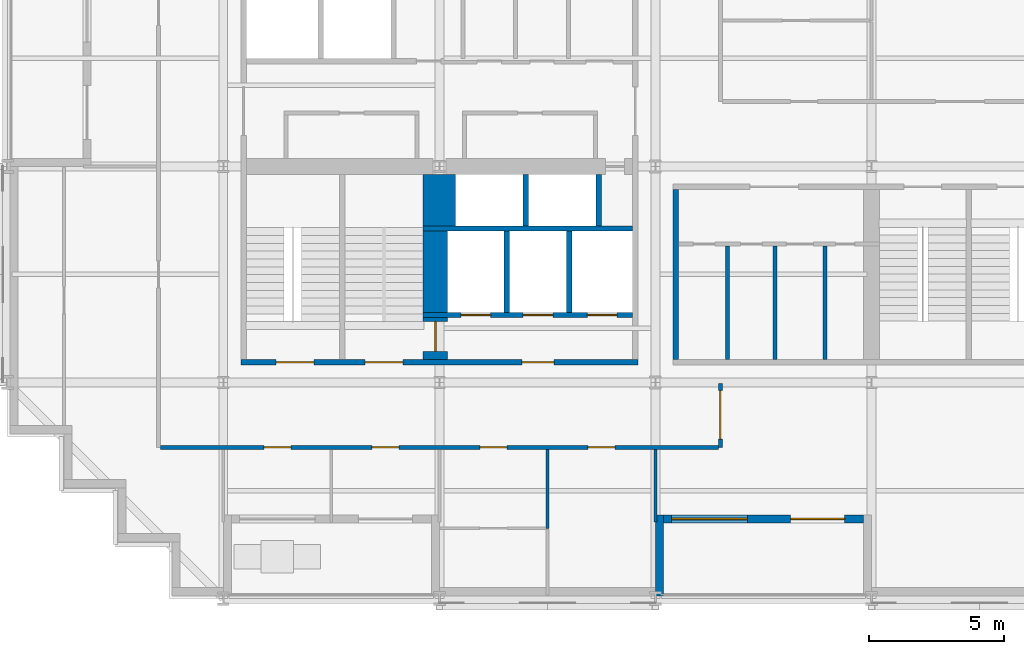
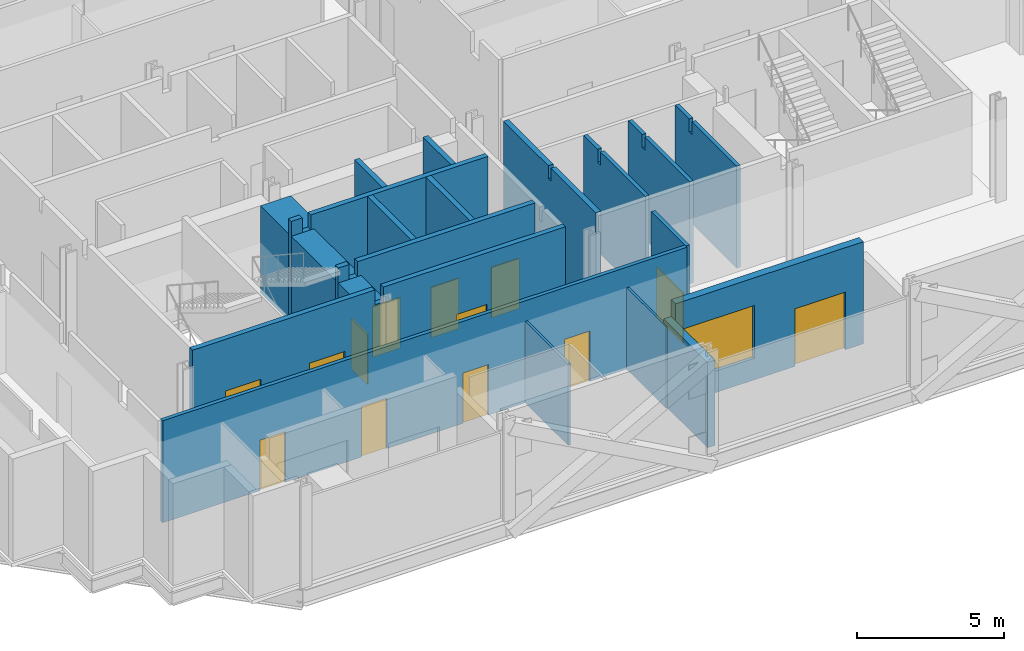
# One storey, part 5 of 14: 20 walls, 13 doors, 1 window, 14 openings.
"""IFC4 building model written with IfcOpenShell, lengths in metres."""

from ifc_helpers import new_model, si_unit, direction, frame, frame_2d, origin, place, context, subcontext, project, spatial, polyline, rectangle, outline, extrude, material, layer, layer_set, type_object, element, fill, save


model = new_model("IFC4")

# Units and contexts
model_context = context("Model", 3, precision=1e-05, world=origin(), true_north=direction((0.0, 1.0)))
body_context = subcontext(model_context, "Body", "Model", "MODEL_VIEW")
ifc_project = project(units=[si_unit("LENGTHUNIT", "METRE"), si_unit("AREAUNIT", "SQUARE_METRE"), si_unit("VOLUMEUNIT", "CUBIC_METRE"), si_unit("PLANEANGLEUNIT", "RADIAN"), si_unit("MASSUNIT", "GRAM", prefix="KILO")], contexts=[model_context])

# Site, building, storey
site_placement = place(None, origin())
site = spatial("IfcSite", under=ifc_project, at=site_placement, CompositionType="ELEMENT")
building_placement = place(site_placement, origin())
building = spatial("IfcBuilding", under=site, at=building_placement, Name="Immortelle Media Tower", CompositionType="ELEMENT")
storey_placement = place(building_placement, frame((0.0, 0.0, 43.60009765625)))
storey = spatial("IfcBuildingStorey", under=building, at=storey_placement, Name="L06", CompositionType="ELEMENT", Elevation=43.60009765625)

# Walls
ifc_material_1 = material(Name="Fire-rated gypsum board", Category="gypsum")
ifc_layer_1 = layer(ifc_material_1, 0.02490234375)
ifc_material_2 = material(Name="Steel ASTM A653 SS Gr 50 stud frame with mineral wool", Category="steel")
ifc_layer_2 = layer(ifc_material_2, 0.10009765625)
ifc_layer_3 = layer(ifc_material_1, 0.02490234375)
ifc_layer_set_1 = layer_set([ifc_layer_1, ifc_layer_2, ifc_layer_3], Name="Steel ASTM A653 SS Gr 50 stud frame with mineral wool")
wall_type_1 = type_object("IfcWallType", Name="Core partition 150", PredefinedType="PARTITIONING", material=ifc_layer_set_1)
for number, where, z_axis, x_axis, name in (
    (1, (26.675048828125, 8.85009765625, 0.0), (0.0, 0.0, 1.0), (0.0, 1.0, 0.0), "Core partition SE"),
    (2, (28.425048828125, 8.85009765625, 0.0), (0.0, 0.0, 1.0), (0.0, 1.0, 0.0), "Core partition SE"),
    (3, (30.27490234375, 8.85009765625, 0.0), (0.0, 0.0, 1.0), (0.0, 1.0, 0.0), "Core partition SE"),
):
    element("IfcWall", number, at=place(storey_placement, frame(where, z_axis=z_axis, x_axis=x_axis)), inside=storey, type_object=wall_type_1, Name=name, PredefinedType="PARTITIONING", context=body_context, shape_type="SweptSolid", body=[
        extrude(outline(polyline([(0.0, 0.0), (4.199951171875, 0.0), (4.199951171875, 4.25), (3.238525390625, 4.25), (3.237548828125, 3.7080078125), (3.0625, 3.7080078125), (3.0615234375, 4.25), (0.0, 4.25), (0.0, 0.0)])), frame((0.0, 0.074951171875, 0.0), z_axis=(0.0, -1.0, 0.0), x_axis=(1.0, 0.0, 0.0)), (0.0, 0.0, 1.0), 0.14990234375),
    ])

# Wall, openings, doors
ifc_layer_4 = layer(ifc_material_1, 0.03759765625)
ifc_layer_5 = layer(ifc_material_2, 0.125)
ifc_layer_6 = layer(ifc_material_1, 0.03759765625)
ifc_layer_set_2 = layer_set([ifc_layer_4, ifc_layer_5, ifc_layer_6], Name="Steel ASTM A653 SS Gr 50 stud frame with mineral wool")
wall_type_2 = type_object("IfcWallType", Name="Core shaft wall 200", PredefinedType="PARTITIONING", material=ifc_layer_set_2)
wall_1_placement = place(storey_placement, frame((15.39990234375, 10.5, 0.0), z_axis=(0.0, 0.0, 1.0), x_axis=(1.0, 0.0, 0.0)))
wall_1 = element("IfcWall", 4, at=wall_1_placement, inside=storey, type_object=wall_type_2, Name="Core shaft wall SW", PredefinedType="PARTITIONING", context=body_context, shape_type="SweptSolid", body=[
    extrude(outline(polyline([(0.0, 0.0), (7.75, 0.0), (7.75, 4.25), (0.76708984375, 4.25), (0.76611328125, 3.6318359375), (0.43408203125, 3.6318359375), (0.43310546875, 4.25), (0.0, 4.25), (0.0, 0.0)])), frame((0.0, 0.10009765625, 0.0), z_axis=(0.0, -1.0, 0.0), x_axis=(1.0, 0.0, 0.0)), (0.0, 0.0, 1.0), 0.199951171875),
])
opening_1_placement = place(wall_1_placement, frame((1.39990234375, 0.0, 0.0)))
opening_1 = element("IfcOpeningElement", 5, at=opening_1_placement, cuts=wall_1, Name="Opening LD", PredefinedType="OPENING", context=body_context, shape_type="SweptSolid", body=[
    extrude(rectangle(XDim=1.10009765625, YDim=2.10009765625, at=frame_2d((0.550048828125, 1.050048828125))), frame((0.0, 0.10986328125, 0.0), z_axis=(0.0, -1.0, 0.0), x_axis=(1.0, 0.0, 0.0)), (0.0, 0.0, 1.0), 0.219970703125),
])
opening_2_placement = place(wall_1_placement, frame((3.699951171875, 0.0, 0.0)))
opening_2 = element("IfcOpeningElement", 6, at=opening_2_placement, cuts=wall_1, Name="Opening LD", PredefinedType="OPENING", context=body_context, shape_type="SweptSolid", body=[
    extrude(rectangle(XDim=1.10009765625, YDim=2.10009765625, at=frame_2d((0.550048828125, 1.050048828125))), frame((0.0, 0.10986328125, 0.0), z_axis=(0.0, -1.0, 0.0), x_axis=(1.0, 0.0, 0.0)), (0.0, 0.0, 1.0), 0.219970703125),
])
opening_3_placement = place(wall_1_placement, frame((6.074951171875, 0.0, 0.0)))
opening_3 = element("IfcOpeningElement", 7, at=opening_3_placement, cuts=wall_1, Name="Opening LD", PredefinedType="OPENING", context=body_context, shape_type="SweptSolid", body=[
    extrude(rectangle(XDim=1.10009765625, YDim=2.10009765625, at=frame_2d((0.550048828125, 1.050048828125))), frame((0.0, 0.10986328125, 0.0), z_axis=(0.0, -1.0, 0.0), x_axis=(1.0, 0.0, 0.0)), (0.0, 0.0, 1.0), 0.219970703125),
])
ifc_material_3 = material(Name="Stainless steel AISI 304", Category="steel")
door_type_1 = type_object("IfcDoorType", Name="Landing door 1100 x 2100", OperationType="SLIDING_TO_LEFT", PredefinedType="NOTDEFINED", material=ifc_material_3)
door_1_placement = place(opening_1_placement, origin())
door_1 = element("IfcDoor", 8, at=door_1_placement, inside=storey, type_object=door_type_1, Name="Landing door FF1 L06", OperationType="SLIDING_TO_LEFT", OverallHeight=2.10009765625, OverallWidth=1.10009765625, PredefinedType="NOTDEFINED", context=body_context, shape_type="SweptSolid", body=[
    extrude(rectangle(XDim=1.10009765625, YDim=2.10009765625, at=frame_2d((0.550048828125, 1.050048828125))), frame((0.0, 0.02490234375, 0.0), z_axis=(0.0, -1.0, 0.0), x_axis=(1.0, 0.0, 0.0)), (0.0, 0.0, 1.0), 0.050048828125),
])
fill(opening_1, door_1)
door_2_placement = place(opening_2_placement, origin())
door_2 = element("IfcDoor", 9, at=door_2_placement, inside=storey, type_object=door_type_1, Name="Landing door FF2 L06", OperationType="SLIDING_TO_LEFT", OverallHeight=2.10009765625, OverallWidth=1.10009765625, PredefinedType="NOTDEFINED", context=body_context, shape_type="SweptSolid", body=[
    extrude(rectangle(XDim=1.10009765625, YDim=2.10009765625, at=frame_2d((0.550048828125, 1.050048828125))), frame((0.0, 0.02490234375, 0.0), z_axis=(0.0, -1.0, 0.0), x_axis=(1.0, 0.0, 0.0)), (0.0, 0.0, 1.0), 0.050048828125),
])
fill(opening_2, door_2)
door_3_placement = place(opening_3_placement, origin())
door_3 = element("IfcDoor", 10, at=door_3_placement, inside=storey, type_object=door_type_1, Name="Landing door FF3 L06", OperationType="SLIDING_TO_LEFT", OverallHeight=2.10009765625, OverallWidth=1.10009765625, PredefinedType="NOTDEFINED", context=body_context, shape_type="SweptSolid", body=[
    extrude(rectangle(XDim=1.10009765625, YDim=2.10009765625, at=frame_2d((0.550048828125, 1.050048828125))), frame((0.0, 0.02490234375, 0.0), z_axis=(0.0, -1.0, 0.0), x_axis=(1.0, 0.0, 0.0)), (0.0, 0.0, 1.0), 0.050048828125),
])
fill(opening_3, door_3)

# Walls
wall_2_placement = place(storey_placement, frame((15.39990234375, 13.699951171875, 0.0), z_axis=(0.0, 0.0, 1.0), x_axis=(1.0, 0.0, 0.0)))
element("IfcWall", 11, at=wall_2_placement, inside=storey, type_object=wall_type_2, Name="Core shaft wall SW", PredefinedType="PARTITIONING", context=body_context, shape_type="SweptSolid", body=[
    extrude(outline(polyline([(0.0, 0.0), (7.75, 0.0), (7.75, 4.25), (0.76708984375, 4.25), (0.76611328125, 3.6318359375), (0.43408203125, 3.6318359375), (0.43310546875, 4.25), (0.0, 4.25), (0.0, 0.0)])), frame((0.0, 0.10009765625, 0.0), z_axis=(0.0, -1.0, 0.0), x_axis=(1.0, 0.0, 0.0)), (0.0, 0.0, 1.0), 0.199951171875),
])
wall_3_placement = place(storey_placement, frame((18.5, 10.60009765625, 0.0), z_axis=(0.0, 0.0, 1.0), x_axis=(0.0, 1.0, 0.0)))
element("IfcWall", 12, at=wall_3_placement, inside=storey, type_object=wall_type_2, Name="Core shaft wall SW", PredefinedType="PARTITIONING", context=body_context, shape_type="SweptSolid", body=[
    extrude(rectangle(XDim=3.0, YDim=0.199951171875, at=frame_2d((1.5, 0.0))), origin(), (0.0, 0.0, 1.0), 4.25),
])
wall_4_placement = place(storey_placement, frame((19.199951171875, 13.800048828125, 0.0), z_axis=(0.0, 0.0, 1.0), x_axis=(0.0, 1.0, 0.0)))
element("IfcWall", 13, at=wall_4_placement, inside=storey, type_object=wall_type_2, Name="Core shaft wall SW", PredefinedType="PARTITIONING", context=body_context, shape_type="SweptSolid", body=[
    extrude(rectangle(XDim=1.89990234375, YDim=0.199951171875, at=frame_2d((0.949951171875, 0.0))), origin(), (0.0, 0.0, 1.0), 4.25),
])
wall_5_placement = place(storey_placement, frame((20.800048828125, 10.60009765625, 0.0), z_axis=(0.0, 0.0, 1.0), x_axis=(0.0, 1.0, 0.0)))
element("IfcWall", 14, at=wall_5_placement, inside=storey, type_object=wall_type_2, Name="Core shaft wall SW", PredefinedType="PARTITIONING", context=body_context, shape_type="SweptSolid", body=[
    extrude(rectangle(XDim=3.0, YDim=0.199951171875, at=frame_2d((1.5, 0.0))), origin(), (0.0, 0.0, 1.0), 4.25),
])
wall_6_placement = place(storey_placement, frame((21.89990234375, 13.800048828125, 0.0), z_axis=(0.0, 0.0, 1.0), x_axis=(0.0, 1.0, 0.0)))
element("IfcWall", 15, at=wall_6_placement, inside=storey, type_object=wall_type_2, Name="Core shaft wall SW", PredefinedType="PARTITIONING", context=body_context, shape_type="SweptSolid", body=[
    extrude(rectangle(XDim=1.89990234375, YDim=0.199951171875, at=frame_2d((0.949951171875, 0.0))), origin(), (0.0, 0.0, 1.0), 4.25),
])
wall_7_placement = place(storey_placement, frame((24.75, 8.85009765625, 0.0), z_axis=(0.0, 0.0, 1.0), x_axis=(0.0, 1.0, 0.0)))
element("IfcWall", 16, at=wall_7_placement, inside=storey, type_object=wall_type_2, Name="Core shaft wall SE", PredefinedType="PARTITIONING", context=body_context, shape_type="SweptSolid", body=[
    extrude(outline(polyline([(0.0, 0.0), (6.2998046875, 0.0), (6.300048828125, 4.25), (3.238525390625, 4.25), (3.237548828125, 3.7080078125), (3.0625, 3.7080078125), (3.0615234375, 4.25), (0.0, 4.25), (0.0, 0.0)])), frame((0.0, 0.10009765625, 0.0), z_axis=(0.0, -1.0, 0.0), x_axis=(1.0, 0.0, 0.0)), (0.0, 0.0, 1.0), 0.199951171875),
])

# Wall, openings, doors
ifc_layer_7 = layer(ifc_material_1, 0.012451171875)
ifc_layer_8 = layer(ifc_material_2, 0.125)
ifc_layer_9 = layer(ifc_material_1, 0.012451171875)
ifc_layer_set_3 = layer_set([ifc_layer_7, ifc_layer_8, ifc_layer_9], Name="Steel ASTM A653 SS Gr 50 stud frame with mineral wool")
wall_type_3 = type_object("IfcWallType", Name="Corridor wall 150", PredefinedType="PARTITIONING", material=ifc_layer_set_3)
wall_8_placement = place(storey_placement, frame((5.675048828125, 5.60009765625, 0.0), z_axis=(0.0, 0.0, 1.0), x_axis=(1.0, 0.0, 0.0)))
wall_8 = element("IfcWall", 17, at=wall_8_placement, inside=storey, type_object=wall_type_3, Name="Partition L06-008", PredefinedType="PARTITIONING", context=body_context, shape_type="SweptSolid", body=[
    extrude(rectangle(XDim=20.64990234375, YDim=0.14990234375, at=frame_2d((10.324951171875, 0.0))), origin(), (0.0, 0.0, 1.0), 4.25),
])
opening_4_placement = place(wall_8_placement, frame((12.824951171875, 0.0, 0.0), z_axis=(0.0, 0.0, 1.0), x_axis=(-1.0, 0.0, 0.0)))
opening_4 = element("IfcOpeningElement", 18, at=opening_4_placement, cuts=wall_8, Name="Opening N1-F001", PredefinedType="OPENING", context=body_context, shape_type="SweptSolid", body=[
    extrude(rectangle(XDim=1.0, YDim=2.10009765625, at=frame_2d((0.5, 1.050048828125))), frame((0.0, 0.0849609375, 0.0), z_axis=(0.0, -1.0, 0.0), x_axis=(1.0, 0.0, 0.0)), (0.0, 0.0, 1.0), 0.169921875),
])
opening_5_placement = place(wall_8_placement, frame((16.824951171875, 0.0, 0.0), z_axis=(0.0, 0.0, 1.0), x_axis=(-1.0, 0.0, 0.0)))
opening_5 = element("IfcOpeningElement", 19, at=opening_5_placement, cuts=wall_8, Name="Opening N1-F003", PredefinedType="OPENING", context=body_context, shape_type="SweptSolid", body=[
    extrude(rectangle(XDim=1.0, YDim=2.10009765625, at=frame_2d((0.5, 1.050048828125))), frame((0.0, 0.0849609375, 0.0), z_axis=(0.0, -1.0, 0.0), x_axis=(1.0, 0.0, 0.0)), (0.0, 0.0, 1.0), 0.169921875),
])
opening_6_placement = place(wall_8_placement, frame((4.824951171875, 0.0, 0.0), z_axis=(0.0, 0.0, 1.0), x_axis=(-1.0, 0.0, 0.0)))
opening_6 = element("IfcOpeningElement", 20, at=opening_6_placement, cuts=wall_8, Name="Opening N1-F004", PredefinedType="OPENING", context=body_context, shape_type="SweptSolid", body=[
    extrude(rectangle(XDim=1.0, YDim=2.10009765625, at=frame_2d((0.5, 1.050048828125))), frame((0.0, 0.0849609375, 0.0), z_axis=(0.0, -1.0, 0.0), x_axis=(1.0, 0.0, 0.0)), (0.0, 0.0, 1.0), 0.169921875),
])
opening_7_placement = place(wall_8_placement, frame((8.824951171875, 0.0, 0.0), z_axis=(0.0, 0.0, 1.0), x_axis=(-1.0, 0.0, 0.0)))
opening_7 = element("IfcOpeningElement", 21, at=opening_7_placement, cuts=wall_8, Name="Opening N1-F005", PredefinedType="OPENING", context=body_context, shape_type="SweptSolid", body=[
    extrude(rectangle(XDim=1.0, YDim=2.10009765625, at=frame_2d((0.5, 1.050048828125))), frame((0.0, 0.0849609375, 0.0), z_axis=(0.0, -1.0, 0.0), x_axis=(1.0, 0.0, 0.0)), (0.0, 0.0, 1.0), 0.169921875),
])
ifc_material_4 = material(Name="Timber veneered door leaf, galvanised steel frame ASTM A653", Category="steel")
door_type_2 = type_object("IfcDoorType", Name="Room door 1000 x 2100", OperationType="NOTDEFINED", PredefinedType="DOOR", material=ifc_material_4)
door_4_placement = place(opening_4_placement, origin())
door_4 = element("IfcDoor", 22, at=door_4_placement, inside=storey, type_object=door_type_2, Name="Door N1-F001", OperationType="SINGLE_SWING_RIGHT", OverallHeight=2.10009765625, OverallWidth=1.0, PredefinedType="DOOR", context=body_context, shape_type="SweptSolid", body=[
    extrude(rectangle(XDim=1.0, YDim=2.10009765625, at=frame_2d((0.5, 1.050048828125))), frame((0.0, 0.02490234375, 0.0), z_axis=(0.0, -1.0, 0.0), x_axis=(1.0, 0.0, 0.0)), (0.0, 0.0, 1.0), 0.050048828125),
])
fill(opening_4, door_4)
door_5_placement = place(opening_5_placement, origin())
door_5 = element("IfcDoor", 23, at=door_5_placement, inside=storey, type_object=door_type_2, Name="Door N1-F003", OperationType="SINGLE_SWING_LEFT", OverallHeight=2.10009765625, OverallWidth=1.0, PredefinedType="DOOR", context=body_context, shape_type="SweptSolid", body=[
    extrude(rectangle(XDim=1.0, YDim=2.10009765625, at=frame_2d((0.5, 1.050048828125))), frame((0.0, 0.02490234375, 0.0), z_axis=(0.0, -1.0, 0.0), x_axis=(1.0, 0.0, 0.0)), (0.0, 0.0, 1.0), 0.050048828125),
])
fill(opening_5, door_5)
door_6_placement = place(opening_6_placement, origin())
door_6 = element("IfcDoor", 24, at=door_6_placement, inside=storey, type_object=door_type_2, Name="Door N1-F004", OperationType="SINGLE_SWING_LEFT", OverallHeight=2.10009765625, OverallWidth=1.0, PredefinedType="DOOR", context=body_context, shape_type="SweptSolid", body=[
    extrude(rectangle(XDim=1.0, YDim=2.10009765625, at=frame_2d((0.5, 1.050048828125))), frame((0.0, 0.02490234375, 0.0), z_axis=(0.0, -1.0, 0.0), x_axis=(1.0, 0.0, 0.0)), (0.0, 0.0, 1.0), 0.050048828125),
])
fill(opening_6, door_6)
door_7_placement = place(opening_7_placement, origin())
door_7 = element("IfcDoor", 25, at=door_7_placement, inside=storey, type_object=door_type_2, Name="Door N1-F005", OperationType="SINGLE_SWING_LEFT", OverallHeight=2.10009765625, OverallWidth=1.0, PredefinedType="DOOR", context=body_context, shape_type="SweptSolid", body=[
    extrude(rectangle(XDim=1.0, YDim=2.10009765625, at=frame_2d((0.5, 1.050048828125))), frame((0.0, 0.02490234375, 0.0), z_axis=(0.0, -1.0, 0.0), x_axis=(1.0, 0.0, 0.0)), (0.0, 0.0, 1.0), 0.050048828125),
])
fill(opening_7, door_7)

# Wall, opening, door
wall_9_placement = place(storey_placement, frame((26.39990234375, 5.60009765625, 0.0), z_axis=(0.0, 0.0, 1.0), x_axis=(0.0, 1.0, 0.0)))
wall_9 = element("IfcWall", 26, at=wall_9_placement, inside=storey, type_object=wall_type_3, Name="Partition L06-010", PredefinedType="PARTITIONING", context=body_context, shape_type="SweptSolid", body=[
    extrude(rectangle(XDim=2.369873046875, YDim=0.14990234375, at=frame_2d((1.18505859375, 0.0))), origin(), (0.0, 0.0, 1.0), 4.25),
])
opening_8_placement = place(wall_9_placement, frame((0.300048828125, 0.0, 0.0)))
opening_8 = element("IfcOpeningElement", 27, at=opening_8_placement, cuts=wall_9, Name="Opening N1-F006", PredefinedType="OPENING", context=body_context, shape_type="SweptSolid", body=[
    extrude(rectangle(XDim=1.800048828125, YDim=2.10009765625, at=frame_2d((0.89990234375, 1.050048828125))), frame((0.0, 0.0849609375, 0.0), z_axis=(0.0, -1.0, 0.0), x_axis=(1.0, 0.0, 0.0)), (0.0, 0.0, 1.0), 0.169921875),
])
door_type_3 = type_object("IfcDoorType", Name="Room door 1800 x 2100", OperationType="DOUBLE_DOOR_SINGLE_SWING", PredefinedType="DOOR", material=ifc_material_4)
door_8_placement = place(opening_8_placement, origin())
door_8 = element("IfcDoor", 28, at=door_8_placement, inside=storey, type_object=door_type_3, Name="Door N1-F006", OperationType="DOUBLE_DOOR_SINGLE_SWING", OverallHeight=2.10009765625, OverallWidth=1.800048828125, PredefinedType="DOOR", context=body_context, shape_type="SweptSolid", body=[
    extrude(rectangle(XDim=1.800048828125, YDim=2.10009765625, at=frame_2d((0.89990234375, 1.050048828125))), frame((0.0, 0.02490234375, 0.0), z_axis=(0.0, -1.0, 0.0), x_axis=(1.0, 0.0, 0.0)), (0.0, 0.0, 1.0), 0.050048828125),
])
fill(opening_8, door_8)

# Wall, openings, door, window
ifc_material_5 = material(Name="Pale aluminium cladding panel", Category="aluminium")
ifc_layer_10 = layer(ifc_material_5, 0.030029296875)
ifc_layer_11 = layer(ifc_material_2, 0.257568359375)
ifc_material_6 = material(Name="Moisture-resistant gypsum board", Category="gypsum")
ifc_layer_12 = layer(ifc_material_6, 0.012451171875)
ifc_layer_set_4 = layer_set([ifc_layer_10, ifc_layer_11, ifc_layer_12], Name="Steel ASTM A653 SS Gr 50 stud frame with mineral wool")
wall_type_4 = type_object("IfcWallType", Name="Facade wall 300", PredefinedType="SOLIDWALL", material=ifc_layer_set_4)
wall_10_placement = place(storey_placement, frame((24.300048828125, 2.949951171875, 0.0), z_axis=(0.0, 0.0, 1.0), x_axis=(1.0, 0.0, 0.0)))
wall_10 = element("IfcWall", 29, at=wall_10_placement, inside=storey, type_object=wall_type_4, Name="Loggia wall L06 S7", PredefinedType="SOLIDWALL", context=body_context, shape_type="SweptSolid", body=[
    extrude(rectangle(XDim=7.39990234375, YDim=0.300048828125, at=frame_2d((3.699951171875, 0.0))), origin(), (0.0, 0.0, 1.0), 4.25),
])
opening_9_placement = place(wall_10_placement, frame((0.300048828125, 0.0, 0.89990234375)))
opening_9 = element("IfcOpeningElement", 30, at=opening_9_placement, cuts=wall_10, Name="Opening W1", PredefinedType="OPENING", context=body_context, shape_type="SweptSolid", body=[
    extrude(rectangle(XDim=2.800048828125, YDim=2.199951171875, at=frame_2d((1.39990234375, 1.10009765625))), frame((0.0, 0.159912109375, 0.0), z_axis=(0.0, -1.0, 0.0), x_axis=(1.0, 0.0, 0.0)), (0.0, 0.0, 1.0), 0.320068359375),
])
opening_10_placement = place(wall_10_placement, frame((4.699951171875, 0.0, 0.0)))
opening_10 = element("IfcOpeningElement", 31, at=opening_10_placement, cuts=wall_10, Name="Opening N1-E004", PredefinedType="OPENING", context=body_context, shape_type="SweptSolid", body=[
    extrude(rectangle(XDim=2.0, YDim=2.39990234375, at=frame_2d((1.0, 1.199951171875))), frame((0.0, 0.159912109375, 0.0), z_axis=(0.0, -1.0, 0.0), x_axis=(1.0, 0.0, 0.0)), (0.0, 0.0, 1.0), 0.320068359375),
])
ifc_material_7 = material(Name="Aluminium frame, glazed leaves", Category="aluminium")
door_type_4 = type_object("IfcDoorType", Name="Loggia door 2000 x 2400", OperationType="DOUBLE_DOOR_SINGLE_SWING", PredefinedType="DOOR", material=ifc_material_7)
door_9_placement = place(opening_10_placement, origin())
door_9 = element("IfcDoor", 32, at=door_9_placement, inside=storey, type_object=door_type_4, Name="Door N1-E004", OperationType="DOUBLE_DOOR_SINGLE_SWING", OverallHeight=2.39990234375, OverallWidth=2.0, PredefinedType="DOOR", context=body_context, shape_type="SweptSolid", body=[
    extrude(rectangle(XDim=2.0, YDim=2.39990234375, at=frame_2d((1.0, 1.199951171875))), frame((0.0, 0.02490234375, 0.0), z_axis=(0.0, -1.0, 0.0), x_axis=(1.0, 0.0, 0.0)), (0.0, 0.0, 1.0), 0.050048828125),
])
fill(opening_10, door_9)
ifc_material_8 = material(Name="Aluminium frame", Category="aluminium")
window_type = type_object("IfcWindowType", Name="Window 2800 x 2200", PartitioningType="SINGLE_PANEL", PredefinedType="WINDOW", material=ifc_material_8)
window_placement = place(opening_9_placement, origin())
window = element("IfcWindow", 33, at=window_placement, inside=storey, type_object=window_type, Name="Window L06 L06-R7-B2", OverallHeight=2.199951171875, OverallWidth=2.800048828125, PartitioningType="SINGLE_PANEL", PredefinedType="WINDOW", context=body_context, shape_type="SweptSolid", body=[
    extrude(rectangle(XDim=2.800048828125, YDim=2.199951171875, at=frame_2d((1.39990234375, 1.10009765625))), frame((0.0, 0.030029296875, 0.0), z_axis=(0.0, -1.0, 0.0), x_axis=(1.0, 0.0, 0.0)), (0.0, 0.0, 1.0), 0.06005859375),
])
fill(opening_9, window)

# Walls
wall_11_placement = place(storey_placement, frame((24.14990234375, 0.10009765625, 0.0), z_axis=(0.0, 0.0, 1.0), x_axis=(0.0, 1.0, 0.0)))
element("IfcWall", 34, at=wall_11_placement, inside=storey, type_object=wall_type_4, Name="Loggia cheek wall L06 S", PredefinedType="SOLIDWALL", context=body_context, shape_type="SweptSolid", body=[
    extrude(rectangle(XDim=3.0, YDim=0.300048828125, at=frame_2d((1.5, 0.0))), origin(), (0.0, 0.0, 1.0), 3.552978515625),
])
ifc_material_9 = material(Name="Gypsum board", Category="gypsum")
ifc_layer_13 = layer(ifc_material_9, 0.012451171875)
ifc_layer_14 = layer(ifc_material_2, 0.074951171875)
ifc_layer_15 = layer(ifc_material_9, 0.012451171875)
ifc_layer_set_5 = layer_set([ifc_layer_13, ifc_layer_14, ifc_layer_15], Name="Steel ASTM A653 SS Gr 50 stud frame with mineral wool")
wall_type_5 = type_object("IfcWallType", Name="Partition 100", PredefinedType="PARTITIONING", material=ifc_layer_set_5)
wall_12_placement = place(storey_placement, frame((20.0, 2.60009765625, 0.0), z_axis=(0.0, 0.0, 1.0), x_axis=(0.0, 1.0, 0.0)))
element("IfcWall", 35, at=wall_12_placement, inside=storey, type_object=wall_type_5, Name="Partition L06-003", PredefinedType="PARTITIONING", context=body_context, shape_type="SweptSolid", body=[
    extrude(rectangle(XDim=2.9248046875, YDim=0.10009765625, at=frame_2d((1.46240234375, 0.0))), origin(), (0.0, 0.0, 1.0), 3.390869140625),
])
wall_13_placement = place(storey_placement, frame((24.0, 2.830078125, 0.0), z_axis=(0.0, 0.0, 1.0), x_axis=(0.0, 1.0, 0.0)))
element("IfcWall", 36, at=wall_13_placement, inside=storey, type_object=wall_type_5, Name="Partition L06-007", PredefinedType="PARTITIONING", context=body_context, shape_type="SweptSolid", body=[
    extrude(rectangle(XDim=2.69482421875, YDim=0.10009765625, at=frame_2d((1.347412109375, 0.0))), origin(), (0.0, 0.0, 1.0), 3.390869140625),
])
ifc_material_10 = material(Name="Concrete C60", Category="concrete")
ifc_layer_16 = layer(ifc_material_10, 1.199951171875)
ifc_layer_set_6 = layer_set([ifc_layer_16], Name="Concrete C60")
wall_type_6 = type_object("IfcWallType", Name="Stair shaft wall 1200", PredefinedType="PARTITIONING", material=ifc_layer_set_6)
wall_14_placement = place(storey_placement, frame((16.0, 13.800048828125, 0.0), z_axis=(0.0, 0.0, 1.0), x_axis=(0.0, 1.0, 0.0)))
element("IfcWall", 37, at=wall_14_placement, inside=storey, type_object=wall_type_6, Name="Stair shaft wall SW", PredefinedType="PARTITIONING", context=body_context, shape_type="SweptSolid", body=[
    extrude(rectangle(XDim=1.89990234375, YDim=1.199951171875, at=frame_2d((0.949951171875, 0.0))), origin(), (0.0, 0.0, 1.0), 3.6318359375),
])

# Wall, openings, doors
ifc_layer_17 = layer(ifc_material_10, 0.199951171875)
ifc_layer_set_7 = layer_set([ifc_layer_17], Name="Concrete C60")
wall_type_7 = type_object("IfcWallType", Name="Stair shaft wall 200", PredefinedType="PARTITIONING", material=ifc_layer_set_7)
wall_15_placement = place(storey_placement, frame((8.64990234375, 8.75, 0.0), z_axis=(0.0, 0.0, 1.0), x_axis=(1.0, 0.0, 0.0)))
wall_15 = element("IfcWall", 38, at=wall_15_placement, inside=storey, type_object=wall_type_7, Name="Stair shaft wall SW", PredefinedType="PARTITIONING", context=body_context, shape_type="SweptSolid", body=[
    extrude(outline(polyline([(0.0, 0.0), (14.7001953125, 0.0), (14.699951171875, 4.25), (7.51708984375, 4.25), (7.51611328125, 3.6318359375), (7.18408203125, 3.6318359375), (7.18310546875, 4.25), (0.0, 4.25), (0.0, 0.0)])), frame((0.0, 0.10009765625, 0.0), z_axis=(0.0, -1.0, 0.0), x_axis=(1.0, 0.0, 0.0)), (0.0, 0.0, 1.0), 0.199951171875),
])
opening_11_placement = place(wall_15_placement, frame((1.300048828125, 0.0, 0.0)))
opening_11 = element("IfcOpeningElement", 39, at=opening_11_placement, cuts=wall_15, Name="Opening N1-K002", PredefinedType="OPENING", context=body_context, shape_type="SweptSolid", body=[
    extrude(rectangle(XDim=1.39990234375, YDim=2.10009765625, at=frame_2d((0.699951171875, 1.050048828125))), frame((0.0, 0.10986328125, 0.0), z_axis=(0.0, -1.0, 0.0), x_axis=(1.0, 0.0, 0.0)), (0.0, 0.0, 1.0), 0.219970703125),
])
opening_12_placement = place(wall_15_placement, frame((4.60009765625, 0.0, 0.0)))
opening_12 = element("IfcOpeningElement", 40, at=opening_12_placement, cuts=wall_15, Name="Opening N1-K004", PredefinedType="OPENING", context=body_context, shape_type="SweptSolid", body=[
    extrude(rectangle(XDim=1.39990234375, YDim=2.10009765625, at=frame_2d((0.699951171875, 1.050048828125))), frame((0.0, 0.10986328125, 0.0), z_axis=(0.0, -1.0, 0.0), x_axis=(1.0, 0.0, 0.0)), (0.0, 0.0, 1.0), 0.219970703125),
])
opening_13_placement = place(wall_15_placement, frame((10.39990234375, 0.0, 0.0)))
opening_13 = element("IfcOpeningElement", 41, at=opening_13_placement, cuts=wall_15, Name="Opening N1-K009", PredefinedType="OPENING", context=body_context, shape_type="SweptSolid", body=[
    extrude(rectangle(XDim=1.199951171875, YDim=2.10009765625, at=frame_2d((0.60009765625, 1.050048828125))), frame((0.0, 0.10986328125, 0.0), z_axis=(0.0, -1.0, 0.0), x_axis=(1.0, 0.0, 0.0)), (0.0, 0.0, 1.0), 0.219970703125),
])
ifc_material_11 = material(Name="Galvanised steel door leaf and frame ASTM A653", Category="steel")
door_type_5 = type_object("IfcDoorType", Name="Fire-fighting lobby door 1200 x 2100", OperationType="NOTDEFINED", PredefinedType="NOTDEFINED", material=ifc_material_11)
door_10_placement = place(opening_13_placement, origin())
door_10 = element("IfcDoor", 42, at=door_10_placement, inside=storey, type_object=door_type_5, Name="Fire-fighting lobby N1-K009", OperationType="SINGLE_SWING_LEFT", OverallHeight=2.10009765625, OverallWidth=1.199951171875, PredefinedType="NOTDEFINED", context=body_context, shape_type="SweptSolid", body=[
    extrude(rectangle(XDim=1.199951171875, YDim=2.10009765625, at=frame_2d((0.60009765625, 1.050048828125))), frame((0.0, 0.02490234375, 0.0), z_axis=(0.0, -1.0, 0.0), x_axis=(1.0, 0.0, 0.0)), (0.0, 0.0, 1.0), 0.050048828125),
])
fill(opening_13, door_10)
door_type_6 = type_object("IfcDoorType", Name="Stair door 1400 x 2100", OperationType="DOUBLE_DOOR_SINGLE_SWING", PredefinedType="NOTDEFINED", material=ifc_material_11)
door_11_placement = place(opening_11_placement, origin())
door_11 = element("IfcDoor", 43, at=door_11_placement, inside=storey, type_object=door_type_6, Name="Stair N1-K002", OperationType="DOUBLE_DOOR_SINGLE_SWING", OverallHeight=2.10009765625, OverallWidth=1.39990234375, PredefinedType="NOTDEFINED", context=body_context, shape_type="SweptSolid", body=[
    extrude(rectangle(XDim=1.39990234375, YDim=2.10009765625, at=frame_2d((0.699951171875, 1.050048828125))), frame((0.0, 0.02490234375, 0.0), z_axis=(0.0, -1.0, 0.0), x_axis=(1.0, 0.0, 0.0)), (0.0, 0.0, 1.0), 0.050048828125),
])
fill(opening_11, door_11)
door_12_placement = place(opening_12_placement, origin())
door_12 = element("IfcDoor", 44, at=door_12_placement, inside=storey, type_object=door_type_6, Name="Stair N1-K004", OperationType="DOUBLE_DOOR_SINGLE_SWING", OverallHeight=2.10009765625, OverallWidth=1.39990234375, PredefinedType="NOTDEFINED", context=body_context, shape_type="SweptSolid", body=[
    extrude(rectangle(XDim=1.39990234375, YDim=2.10009765625, at=frame_2d((0.699951171875, 1.050048828125))), frame((0.0, 0.02490234375, 0.0), z_axis=(0.0, -1.0, 0.0), x_axis=(1.0, 0.0, 0.0)), (0.0, 0.0, 1.0), 0.050048828125),
])
fill(opening_12, door_12)

# Wall, opening, door
ifc_layer_18 = layer(ifc_material_10, 0.89990234375)
ifc_layer_set_8 = layer_set([ifc_layer_18], Name="Concrete C60")
wall_type_8 = type_object("IfcWallType", Name="Stair shaft wall 900", PredefinedType="PARTITIONING", material=ifc_layer_set_8)
wall_16_placement = place(storey_placement, frame((15.85009765625, 8.85009765625, 0.0), z_axis=(0.0, 0.0, 1.0), x_axis=(0.0, 1.0, 0.0)))
wall_16 = element("IfcWall", 45, at=wall_16_placement, inside=storey, type_object=wall_type_8, Name="Stair shaft wall SW", PredefinedType="PARTITIONING", context=body_context, shape_type="SweptSolid", body=[
    extrude(rectangle(XDim=1.5498046875, YDim=0.89990234375, at=frame_2d((0.77490234375, 0.0))), origin(), (0.0, 0.0, 1.0), 3.6318359375),
])
opening_14_placement = place(wall_16_placement, frame((0.300048828125, 0.0, 0.0)))
opening_14 = element("IfcOpeningElement", 46, at=opening_14_placement, cuts=wall_16, Name="Opening N1-K005", PredefinedType="OPENING", context=body_context, shape_type="SweptSolid", body=[
    extrude(rectangle(XDim=1.10009765625, YDim=2.10009765625, at=frame_2d((0.550048828125, 1.050048828125))), frame((0.0, 0.4599609375, 0.0), z_axis=(0.0, -1.0, 0.0), x_axis=(1.0, 0.0, 0.0)), (0.0, 0.0, 1.0), 0.919921875),
])
door_type_7 = type_object("IfcDoorType", Name="Stair lobby door 1100 x 2100", OperationType="NOTDEFINED", PredefinedType="NOTDEFINED", material=ifc_material_11)
door_13_placement = place(opening_14_placement, origin())
door_13 = element("IfcDoor", 47, at=door_13_placement, inside=storey, type_object=door_type_7, Name="Stair lobby N1-K005", OperationType="SINGLE_SWING_LEFT", OverallHeight=2.10009765625, OverallWidth=1.10009765625, PredefinedType="NOTDEFINED", context=body_context, shape_type="SweptSolid", body=[
    extrude(rectangle(XDim=1.10009765625, YDim=2.10009765625, at=frame_2d((0.550048828125, 1.050048828125))), frame((0.0, 0.02490234375, 0.0), z_axis=(0.0, -1.0, 0.0), x_axis=(1.0, 0.0, 0.0)), (0.0, 0.0, 1.0), 0.050048828125),
])
fill(opening_14, door_13)

# Wall
wall_17_placement = place(storey_placement, frame((15.85009765625, 10.60009765625, 0.0), z_axis=(0.0, 0.0, 1.0), x_axis=(0.0, 1.0, 0.0)))
element("IfcWall", 48, at=wall_17_placement, inside=storey, type_object=wall_type_8, Name="Stair shaft wall SW", PredefinedType="PARTITIONING", context=body_context, shape_type="SweptSolid", body=[
    extrude(rectangle(XDim=3.0, YDim=0.89990234375, at=frame_2d((1.5, 0.0))), origin(), (0.0, 0.0, 1.0), 3.6318359375),
])

save(model, "model.ifc")
